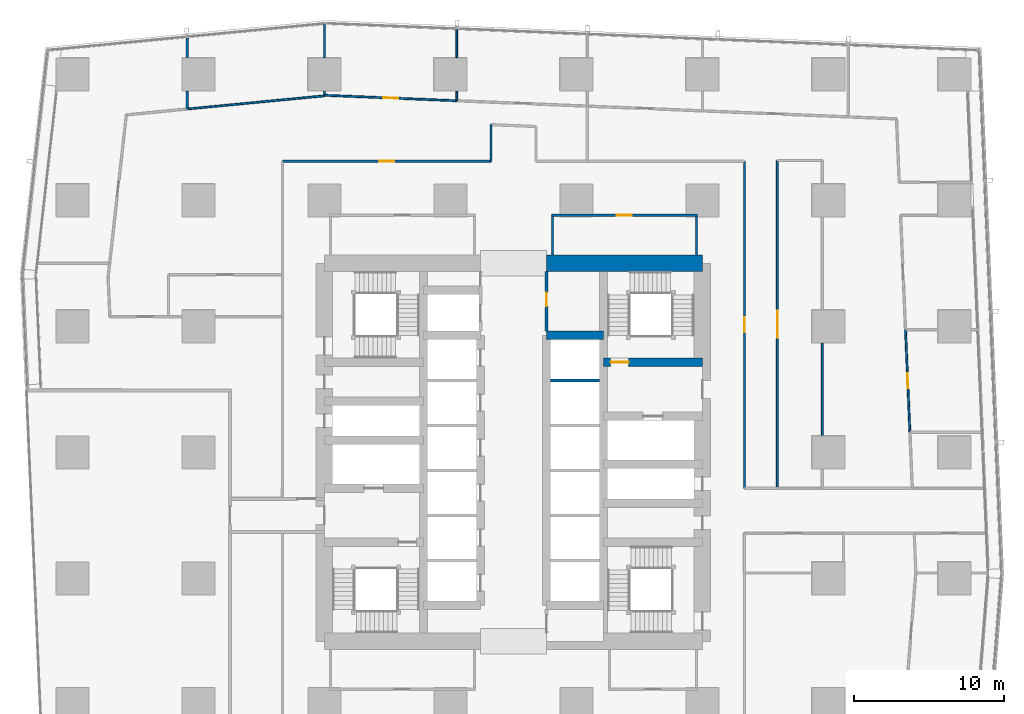
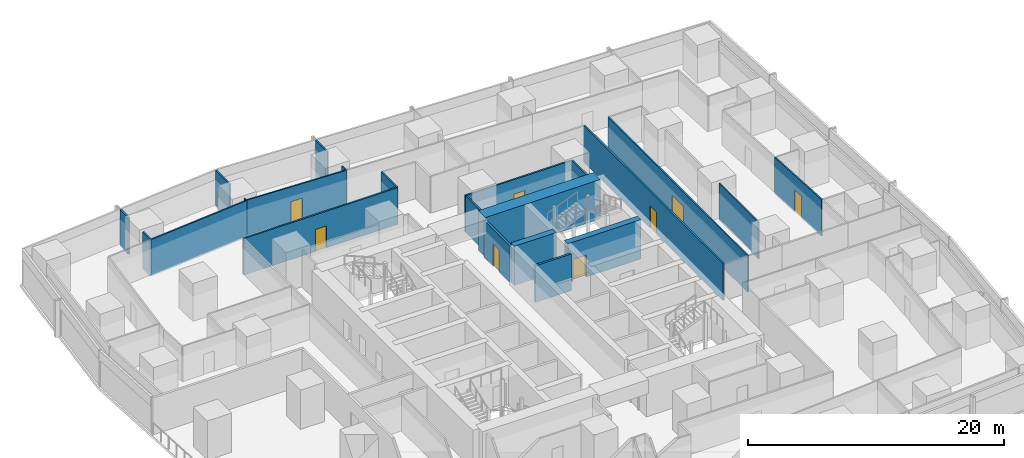
# One storey, part 32 of 42: 22 walls, 8 doors, 8 openings.
"""IFC4 building model written with IfcOpenShell, lengths in metres."""

from ifc_helpers import new_model, si_unit, direction, frame, frame_2d, origin, place, context, subcontext, project, spatial, rectangle, extrude, material, layer, layer_set, type_object, element, fill, save


model = new_model("IFC4")

# Units and contexts
model_context = context("Model", 3, precision=1e-05, world=origin(), true_north=direction((0.0, 1.0)))
body_context = subcontext(model_context, "Body", "Model", "MODEL_VIEW")
ifc_project = project(units=[si_unit("LENGTHUNIT", "METRE"), si_unit("AREAUNIT", "SQUARE_METRE"), si_unit("VOLUMEUNIT", "CUBIC_METRE"), si_unit("PLANEANGLEUNIT", "RADIAN"), si_unit("MASSUNIT", "GRAM", prefix="KILO")], contexts=[model_context])

# Site, building, storey
site_placement = place(None, origin())
site = spatial("IfcSite", under=ifc_project, at=site_placement, CompositionType="ELEMENT")
building_placement = place(site_placement, origin())
building = spatial("IfcBuilding", under=site, at=building_placement, Name="Rekha Terrace Tower", CompositionType="ELEMENT")
storey_placement = place(building_placement, frame((0.0, 0.0, 55.39990234375)))
storey = spatial("IfcBuildingStorey", under=building, at=storey_placement, Name="L13", CompositionType="ELEMENT", Elevation=55.39990234375)

# Wall
ifc_material_1 = material(Name="Concrete M70", Category="concrete")
ifc_layer_1 = layer(ifc_material_1, 0.550048828125)
ifc_layer_set_1 = layer_set([ifc_layer_1], Name="Concrete M70")
wall_type_1 = type_object("IfcWallType", Name="CI1 550 core internal shear wall", PredefinedType="SHEAR", material=ifc_layer_set_1)
wall_1_placement = place(storey_placement, frame((40.0, 41.39990234375, 0.0), z_axis=(0.0, 0.0, 1.0), x_axis=(1.0, 0.0, 0.0)))
element("IfcWall", 1, at=wall_1_placement, inside=storey, type_object=wall_type_1, Name="Core wall Y414E L13", PredefinedType="SHEAR", context=body_context, shape_type="SweptSolid", body=[
    extrude(rectangle(XDim=3.800048828125, YDim=0.550048828125, at=frame_2d((1.89990234375, 0.0))), origin(), (0.0, 0.0, 1.0), 3.75),
])

# Wall, opening, door
wall_2_placement = place(storey_placement, frame((43.800048828125, 39.60009765625, 0.0), z_axis=(0.0, 0.0, 1.0), x_axis=(1.0, 0.0, 0.0)))
wall_2 = element("IfcWall", 2, at=wall_2_placement, inside=storey, type_object=wall_type_1, Name="Core wall Y396E L13", PredefinedType="SHEAR", context=body_context, shape_type="SweptSolid", body=[
    extrude(rectangle(XDim=6.599853515625, YDim=0.550048828125, at=frame_2d((3.2998046875, 0.0))), origin(), (0.0, 0.0, 1.0), 3.75),
])
opening_1_placement = place(wall_2_placement, frame((0.47509765625, 0.0, 0.0)))
opening_1 = element("IfcOpeningElement", 3, at=opening_1_placement, cuts=wall_2, Name="Opening D1", PredefinedType="OPENING", context=body_context, shape_type="SweptSolid", body=[
    extrude(rectangle(XDim=1.199951171875, YDim=2.10009765625, at=frame_2d((0.60009765625, 1.050048828125))), frame((0.0, 0.284912109375, 0.0), z_axis=(0.0, -1.0, 0.0), x_axis=(1.0, 0.0, 0.0)), (0.0, 0.0, 1.0), 0.570068359375),
])
ifc_material_2 = material(Name="Steel fire door", Category="steel")
door_type_1 = type_object("IfcDoorType", Name="D1 1200x2100 stair fire door", OperationType="SINGLE_SWING_RIGHT", PredefinedType="DOOR", material=ifc_material_2)
door_1_placement = place(opening_1_placement, origin())
door_1 = element("IfcDoor", 4, at=door_1_placement, inside=storey, type_object=door_type_1, Name="Stair ST2 door L13", OperationType="SINGLE_SWING_RIGHT", OverallHeight=2.10009765625, OverallWidth=1.199951171875, PredefinedType="DOOR", context=body_context, shape_type="SweptSolid", body=[
    extrude(rectangle(XDim=1.199951171875, YDim=2.10009765625, at=frame_2d((0.60009765625, 1.050048828125))), frame((0.0, 0.02490234375, 0.0), z_axis=(0.0, -1.0, 0.0), x_axis=(1.0, 0.0, 0.0)), (0.0, 0.0, 1.0), 0.050048828125),
])
fill(opening_1, door_1)

# Wall
ifc_layer_2 = layer(ifc_material_1, 1.10009765625)
ifc_layer_set_2 = layer_set([ifc_layer_2], Name="Concrete M70")
wall_type_2 = type_object("IfcWallType", Name="SW1 1100 core outer shear wall", PredefinedType="SHEAR", material=ifc_layer_set_2)
wall_3_placement = place(storey_placement, frame((40.0, 46.199951171875, 0.0), z_axis=(0.0, 0.0, 1.0), x_axis=(1.0, 0.0, 0.0)))
element("IfcWall", 5, at=wall_3_placement, inside=storey, type_object=wall_type_2, Name="Core wall N2 L13", PredefinedType="SHEAR", context=body_context, shape_type="SweptSolid", body=[
    extrude(rectangle(XDim=10.39990234375, YDim=1.10009765625, at=frame_2d((5.199951171875, 0.0))), origin(), (0.0, 0.0, 1.0), 3.75),
])

# Wall, opening, door
ifc_material_3 = material(Name="Concrete block masonry, 1 hour", Category="masonry")
ifc_layer_3 = layer(ifc_material_3, 0.14990234375)
ifc_layer_set_3 = layer_set([ifc_layer_3], Name="Concrete block masonry, 1 hour")
wall_type_3 = type_object("IfcWallType", Name="WP2 150 tenancy partition", PredefinedType="PARTITIONING", material=ifc_layer_set_3)
wall_4_placement = place(storey_placement, frame((40.324951171875, 49.39990234375, 0.0), z_axis=(0.0, 0.0, 1.0), x_axis=(1.0, 0.0, 0.0)))
wall_4 = element("IfcWall", 6, at=wall_4_placement, inside=storey, type_object=wall_type_3, Name="Women's WC wall L13", PredefinedType="PARTITIONING", context=body_context, shape_type="SweptSolid", body=[
    extrude(rectangle(XDim=9.75, YDim=0.14990234375, at=frame_2d((4.875, 0.0))), origin(), (0.0, 0.0, 1.0), 3.5),
])
opening_2_placement = place(wall_4_placement, frame((4.375, 0.0, 0.0)))
opening_2 = element("IfcOpeningElement", 7, at=opening_2_placement, cuts=wall_4, Name="Opening D3", PredefinedType="OPENING", context=body_context, shape_type="SweptSolid", body=[
    extrude(rectangle(XDim=1.0, YDim=2.10009765625, at=frame_2d((0.5, 1.050048828125))), frame((0.0, 0.0849609375, 0.0), z_axis=(0.0, -1.0, 0.0), x_axis=(1.0, 0.0, 0.0)), (0.0, 0.0, 1.0), 0.169921875),
])
ifc_material_4 = material(Name="Laminated timber fire door", Category="wood")
door_type_2 = type_object("IfcDoorType", Name="D3 1000x2100 WC door", OperationType="SINGLE_SWING_LEFT", PredefinedType="DOOR", material=ifc_material_4)
door_2_placement = place(opening_2_placement, origin())
door_2 = element("IfcDoor", 8, at=door_2_placement, inside=storey, type_object=door_type_2, Name="Door women's wc L13", OperationType="SINGLE_SWING_LEFT", OverallHeight=2.10009765625, OverallWidth=1.0, PredefinedType="DOOR", context=body_context, shape_type="SweptSolid", body=[
    extrude(rectangle(XDim=1.0, YDim=2.10009765625, at=frame_2d((0.5, 1.050048828125))), frame((0.0, 0.02490234375, 0.0), z_axis=(0.0, -1.0, 0.0), x_axis=(1.0, 0.0, 0.0)), (0.0, 0.0, 1.0), 0.050048828125),
])
fill(opening_2, door_2)

# Walls
for number, where, z_axis, x_axis, name in (
    (9, (40.39990234375, 46.75, 0.0), (0.0, 0.0, 1.0), (0.0, 1.0, 0.0), "Women's WC wall L13"),
    (10, (50.0, 46.75, 0.0), (0.0, 0.0, 1.0), (0.0, 1.0, 0.0), "Women's WC wall L13"),
):
    element("IfcWall", number, at=place(storey_placement, frame(where, z_axis=z_axis, x_axis=x_axis)), inside=storey, type_object=wall_type_3, Name=name, PredefinedType="PARTITIONING", context=body_context, shape_type="SweptSolid", body=[
        extrude(rectangle(XDim=2.574951171875, YDim=0.14990234375, at=frame_2d((1.28759765625, 0.0))), origin(), (0.0, 0.0, 1.0), 3.5),
    ])

# Wall, opening, door
wall_5_placement = place(storey_placement, frame((53.199951171875, 31.199951171875, 0.0), z_axis=(0.0, 0.0, 1.0), x_axis=(0.0, 1.0, 0.0)))
wall_5 = element("IfcWall", 11, at=wall_5_placement, inside=storey, type_object=wall_type_3, Name="Partition L13-O3", PredefinedType="PARTITIONING", context=body_context, shape_type="SweptSolid", body=[
    extrude(rectangle(XDim=21.800048828125, YDim=0.14990234375, at=frame_2d((10.89990234375, 0.0))), origin(), (0.0, 0.0, 1.0), 3.5),
])
opening_3_placement = place(wall_5_placement, frame((10.39990234375, 0.0, 0.0)))
opening_3 = element("IfcOpeningElement", 12, at=opening_3_placement, cuts=wall_5, Name="Opening D9", PredefinedType="OPENING", context=body_context, shape_type="SweptSolid", body=[
    extrude(rectangle(XDim=1.0, YDim=2.10009765625, at=frame_2d((0.5, 1.050048828125))), frame((0.0, 0.0849609375, 0.0), z_axis=(0.0, -1.0, 0.0), x_axis=(1.0, 0.0, 0.0)), (0.0, 0.0, 1.0), 0.169921875),
])
ifc_material_5 = material(Name="Timber fire door", Category="wood")
door_type_3 = type_object("IfcDoorType", Name="D9 1000x2100 office door", OperationType="SINGLE_SWING_LEFT", PredefinedType="DOOR", material=ifc_material_5)
door_3_placement = place(opening_3_placement, origin())
door_3 = element("IfcDoor", 13, at=door_3_placement, inside=storey, type_object=door_type_3, Name="Door open-plan office L13", OperationType="SINGLE_SWING_LEFT", OverallHeight=2.10009765625, OverallWidth=1.0, PredefinedType="DOOR", context=body_context, shape_type="SweptSolid", body=[
    extrude(rectangle(XDim=1.0, YDim=2.10009765625, at=frame_2d((0.5, 1.050048828125))), frame((0.0, 0.02490234375, 0.0), z_axis=(0.0, -1.0, 0.0), x_axis=(1.0, 0.0, 0.0)), (0.0, 0.0, 1.0), 0.050048828125),
])
fill(opening_3, door_3)

# Wall
wall_6_placement = place(storey_placement, frame((36.300048828125, 55.44189453125, 0.0), z_axis=(0.0, 0.0, 1.0), x_axis=(0.0, -1.0, 0.0)))
element("IfcWall", 14, at=wall_6_placement, inside=storey, type_object=wall_type_3, Name="Partition L13-O4", PredefinedType="PARTITIONING", context=body_context, shape_type="SweptSolid", body=[
    extrude(rectangle(XDim=2.44189453125, YDim=0.14990234375, at=frame_2d((1.220947265625, 0.0))), origin(), (0.0, 0.0, 1.0), 3.5),
])

# Wall, opening, door
wall_7_placement = place(storey_placement, frame((36.300048828125, 53.0, 0.0), z_axis=(0.0, 0.0, 1.0), x_axis=(-1.0, 0.0, 0.0)))
wall_7 = element("IfcWall", 15, at=wall_7_placement, inside=storey, type_object=wall_type_3, Name="Partition L13-O4", PredefinedType="PARTITIONING", context=body_context, shape_type="SweptSolid", body=[
    extrude(rectangle(XDim=13.900146484375, YDim=0.14990234375, at=frame_2d((6.9501953125, 0.0))), origin(), (0.0, 0.0, 1.0), 3.5),
])
opening_4_placement = place(wall_7_placement, frame((6.449951171875, 0.0, 0.0)))
opening_4 = element("IfcOpeningElement", 16, at=opening_4_placement, cuts=wall_7, Name="Opening D9", PredefinedType="OPENING", context=body_context, shape_type="SweptSolid", body=[
    extrude(rectangle(XDim=1.0, YDim=2.10009765625, at=frame_2d((0.5, 1.050048828125))), frame((0.0, 0.0849609375, 0.0), z_axis=(0.0, -1.0, 0.0), x_axis=(1.0, 0.0, 0.0)), (0.0, 0.0, 1.0), 0.169921875),
])
door_4_placement = place(opening_4_placement, origin())
door_4 = element("IfcDoor", 17, at=door_4_placement, inside=storey, type_object=door_type_3, Name="Door open-plan office L13", OperationType="SINGLE_SWING_LEFT", OverallHeight=2.10009765625, OverallWidth=1.0, PredefinedType="DOOR", context=body_context, shape_type="SweptSolid", body=[
    extrude(rectangle(XDim=1.0, YDim=2.10009765625, at=frame_2d((0.5, 1.050048828125))), frame((0.0, 0.02490234375, 0.0), z_axis=(0.0, -1.0, 0.0), x_axis=(1.0, 0.0, 0.0)), (0.0, 0.0, 1.0), 0.050048828125),
])
fill(opening_4, door_4)

# Walls
wall_8_placement = place(storey_placement, frame((16.052978515625, 56.49609375, 0.0), z_axis=(0.0, 0.0, 1.0), x_axis=(0.0, 1.0, 0.0)))
element("IfcWall", 18, at=wall_8_placement, inside=storey, type_object=wall_type_3, Name="Partition L13-O4", PredefinedType="PARTITIONING", context=body_context, shape_type="SweptSolid", body=[
    extrude(rectangle(XDim=1.183837890625, YDim=0.14990234375, at=frame_2d((0.591796875, 0.0))), origin(), (0.0, 0.0, 1.0), 3.5),
])
wall_9_placement = place(storey_placement, frame((16.052978515625, 59.919921875, 0.0), z_axis=(0.0, 0.0, 1.0), x_axis=(0.0, 1.0, 0.0)))
element("IfcWall", 19, at=wall_9_placement, inside=storey, type_object=wall_type_3, Name="Partition L13-O4", PredefinedType="PARTITIONING", context=body_context, shape_type="SweptSolid", body=[
    extrude(rectangle(XDim=1.30810546875, YDim=0.14990234375, at=frame_2d((0.654052734375, 0.0))), origin(), (0.0, 0.0, 1.0), 3.5),
])

# Wall, opening, door
ifc_material_6 = material(Name="Two layers of fire-rated gypsum board each side on steel studs, acoustic quilt, 1 hour", Category="steel")
ifc_layer_4 = layer(ifc_material_6, 0.125)
ifc_layer_set_4 = layer_set([ifc_layer_4], Name="Two layers of fire-rated gypsum board each side on steel studs, acoustic quilt, 1 hour")
wall_type_4 = type_object("IfcWallType", Name="WP3 125 office partition", PredefinedType="PARTITIONING", material=ifc_layer_set_4)
wall_10_placement = place(storey_placement, frame((64.23095703125, 34.9541015625, 0.0), z_axis=(0.0, 0.0, 1.0), x_axis=(-0.042731736662, 0.999086582175, 0.0)))
wall_10 = element("IfcWall", 20, at=wall_10_placement, inside=storey, type_object=wall_type_4, Name="Partition L13-07", PredefinedType="PARTITIONING", context=body_context, shape_type="SweptSolid", body=[
    extrude(rectangle(XDim=6.833251953125, YDim=0.125, at=frame_2d((3.41650390625, 0.0))), origin(), (0.0, 0.0, 1.0), 3.5),
])
opening_5_placement = place(wall_10_placement, frame((2.905029296875, 0.0, 0.0)))
opening_5 = element("IfcOpeningElement", 21, at=opening_5_placement, cuts=wall_10, Name="Opening D9", PredefinedType="OPENING", context=body_context, shape_type="SweptSolid", body=[
    extrude(rectangle(XDim=1.0, YDim=2.10009765625, at=frame_2d((0.5, 1.050048828125))), frame((0.0, 0.072509765625, 0.0), z_axis=(0.0, -1.0, 0.0), x_axis=(1.0, 0.0, 0.0)), (0.0, 0.0, 1.0), 0.14501953125),
])
door_5_placement = place(opening_5_placement, origin())
door_5 = element("IfcDoor", 22, at=door_5_placement, inside=storey, type_object=door_type_3, Name="Door office L13", OperationType="SINGLE_SWING_LEFT", OverallHeight=2.10009765625, OverallWidth=1.0, PredefinedType="DOOR", context=body_context, shape_type="SweptSolid", body=[
    extrude(rectangle(XDim=1.0, YDim=2.10009765625, at=frame_2d((0.5, 1.050048828125))), frame((0.0, 0.02490234375, 0.0), z_axis=(0.0, -1.0, 0.0), x_axis=(1.0, 0.0, 0.0)), (0.0, 0.0, 1.0), 0.050048828125),
])
fill(opening_5, door_5)

# Wall
wall_11_placement = place(storey_placement, frame((58.39990234375, 40.8798828125, 0.0), z_axis=(0.0, 0.0, 1.0), x_axis=(0.0, -1.0, 0.0)))
element("IfcWall", 23, at=wall_11_placement, inside=storey, type_object=wall_type_4, Name="Partition L13-12", PredefinedType="PARTITIONING", context=body_context, shape_type="SweptSolid", body=[
    extrude(rectangle(XDim=6.159912109375, YDim=0.125, at=frame_2d((3.080078125, 0.0))), origin(), (0.0, 0.0, 1.0), 3.5),
])

# Wall, opening, door
wall_12_placement = place(storey_placement, frame((55.39990234375, 31.199951171875, 0.0), z_axis=(0.0, 0.0, 1.0), x_axis=(0.0, 1.0, 0.0)))
wall_12 = element("IfcWall", 24, at=wall_12_placement, inside=storey, type_object=wall_type_4, Name="Partition L13-12", PredefinedType="PARTITIONING", context=body_context, shape_type="SweptSolid", body=[
    extrude(rectangle(XDim=21.85009765625, YDim=0.125, at=frame_2d((10.925048828125, 0.0))), origin(), (0.0, 0.0, 1.0), 3.5),
])
opening_6_placement = place(wall_12_placement, frame((10.02490234375, 0.0, 0.0)))
opening_6 = element("IfcOpeningElement", 25, at=opening_6_placement, cuts=wall_12, Name="Opening D8", PredefinedType="OPENING", context=body_context, shape_type="SweptSolid", body=[
    extrude(rectangle(XDim=1.800048828125, YDim=2.10009765625, at=frame_2d((0.89990234375, 1.050048828125))), frame((0.0, 0.072509765625, 0.0), z_axis=(0.0, -1.0, 0.0), x_axis=(1.0, 0.0, 0.0)), (0.0, 0.0, 1.0), 0.14501953125),
])
door_type_4 = type_object("IfcDoorType", Name="D8 1800x2100 double leaf door", OperationType="DOUBLE_DOOR_SINGLE_SWING", PredefinedType="DOOR", material=ifc_material_5)
door_6_placement = place(opening_6_placement, origin())
door_6 = element("IfcDoor", 26, at=door_6_placement, inside=storey, type_object=door_type_4, Name="Door focus room L13", OperationType="DOUBLE_DOOR_SINGLE_SWING", OverallHeight=2.10009765625, OverallWidth=1.800048828125, PredefinedType="DOOR", context=body_context, shape_type="SweptSolid", body=[
    extrude(rectangle(XDim=1.800048828125, YDim=2.10009765625, at=frame_2d((0.89990234375, 1.050048828125))), frame((0.0, 0.02490234375, 0.0), z_axis=(0.0, -1.0, 0.0), x_axis=(1.0, 0.0, 0.0)), (0.0, 0.0, 1.0), 0.050048828125),
])
fill(opening_6, door_6)

# Walls
wall_13_placement = place(storey_placement, frame((34.02294921875, 57.037109375, 0.0), z_axis=(0.0, 0.0, 1.0), x_axis=(0.0, 1.0, 0.0)))
element("IfcWall", 27, at=wall_13_placement, inside=storey, type_object=wall_type_4, Name="Partition L13-13", PredefinedType="PARTITIONING", context=body_context, shape_type="SweptSolid", body=[
    extrude(rectangle(XDim=0.642822265625, YDim=0.125, at=frame_2d((0.3212890625, 0.0))), origin(), (0.0, 0.0, 1.0), 3.5),
])
wall_14_placement = place(storey_placement, frame((34.02294921875, 59.919921875, 0.0), z_axis=(0.0, 0.0, 1.0), x_axis=(0.0, 1.0, 0.0)))
element("IfcWall", 28, at=wall_14_placement, inside=storey, type_object=wall_type_4, Name="Partition L13-13", PredefinedType="PARTITIONING", context=body_context, shape_type="SweptSolid", body=[
    extrude(rectangle(XDim=1.841064453125, YDim=0.125, at=frame_2d((0.92041015625, 0.0))), origin(), (0.0, 0.0, 1.0), 3.5),
])

# Wall, opening, door
wall_15_placement = place(storey_placement, frame((34.02099609375, 57.037109375, 0.0), z_axis=(0.0, 0.0, 1.0), x_axis=(-0.99915132578, 0.041190146789, 0.0)))
wall_15 = element("IfcWall", 29, at=wall_15_placement, inside=storey, type_object=wall_type_4, Name="Partition L13-14", PredefinedType="PARTITIONING", context=body_context, shape_type="SweptSolid", body=[
    extrude(rectangle(XDim=8.83154296875, YDim=0.125, at=frame_2d((4.415771484375, 0.0))), origin(), (0.0, 0.0, 1.0), 3.5),
])
opening_7_placement = place(wall_15_placement, frame((3.9140625, 0.0, 0.0)))
opening_7 = element("IfcOpeningElement", 30, at=opening_7_placement, cuts=wall_15, Name="Opening D9", PredefinedType="OPENING", context=body_context, shape_type="SweptSolid", body=[
    extrude(rectangle(XDim=1.0, YDim=2.10009765625, at=frame_2d((0.5, 1.050048828125))), frame((0.0, 0.072509765625, 0.0), z_axis=(0.0, -1.0, 0.0), x_axis=(1.0, 0.0, 0.0)), (0.0, 0.0, 1.0), 0.14501953125),
])
door_7_placement = place(opening_7_placement, origin())
door_7 = element("IfcDoor", 31, at=door_7_placement, inside=storey, type_object=door_type_3, Name="Door office L13", OperationType="SINGLE_SWING_LEFT", OverallHeight=2.10009765625, OverallWidth=1.0, PredefinedType="DOOR", context=body_context, shape_type="SweptSolid", body=[
    extrude(rectangle(XDim=1.0, YDim=2.10009765625, at=frame_2d((0.5, 1.050048828125))), frame((0.0, 0.02490234375, 0.0), z_axis=(0.0, -1.0, 0.0), x_axis=(1.0, 0.0, 0.0)), (0.0, 0.0, 1.0), 0.050048828125),
])
fill(opening_7, door_7)

# Walls
wall_16_placement = place(storey_placement, frame((25.200927734375, 57.462890625, 0.0), z_axis=(0.0, 0.0, 1.0), x_axis=(0.0, 1.0, 0.0)))
element("IfcWall", 32, at=wall_16_placement, inside=storey, type_object=wall_type_4, Name="Partition L13-14", PredefinedType="PARTITIONING", context=body_context, shape_type="SweptSolid", body=[
    extrude(rectangle(XDim=0.217041015625, YDim=0.125, at=frame_2d((0.1083984375, 0.0))), origin(), (0.0, 0.0, 1.0), 3.5),
])
wall_17_placement = place(storey_placement, frame((25.200927734375, 59.919921875, 0.0), z_axis=(0.0, 0.0, 1.0), x_axis=(0.0, 1.0, 0.0)))
element("IfcWall", 33, at=wall_17_placement, inside=storey, type_object=wall_type_4, Name="Partition L13-14", PredefinedType="PARTITIONING", context=body_context, shape_type="SweptSolid", body=[
    extrude(rectangle(XDim=2.18798828125, YDim=0.125, at=frame_2d((1.093994140625, 0.0))), origin(), (0.0, 0.0, 1.0), 3.5),
])
wall_18_placement = place(storey_placement, frame((25.196044921875, 57.365966796875, 0.0), z_axis=(0.0, 0.0, 1.0), x_axis=(-0.995400355821, -0.095802565892, 0.0)))
element("IfcWall", 34, at=wall_18_placement, inside=storey, type_object=wall_type_4, Name="Partition L13-15", PredefinedType="PARTITIONING", context=body_context, shape_type="SweptSolid", body=[
    extrude(rectangle(XDim=9.184326171875, YDim=0.125, at=frame_2d((4.59228515625, 0.0))), origin(), (0.0, 0.0, 1.0), 3.5),
])
ifc_material_7 = material(Name="Solid concrete block masonry, 2 hour", Category="masonry")
ifc_layer_5 = layer(ifc_material_7, 0.199951171875)
ifc_layer_set_5 = layer_set([ifc_layer_5], Name="Solid concrete block masonry, 2 hour")
wall_type_5 = type_object("IfcWallType", Name="WS1 200 stair and shaft enclosure", PredefinedType="PARTITIONING", material=ifc_layer_set_5)
wall_19_placement = place(storey_placement, frame((40.27490234375, 38.39990234375, 0.0), z_axis=(0.0, 0.0, 1.0), x_axis=(1.0, 0.0, 0.0)))
element("IfcWall", 35, at=wall_19_placement, inside=storey, type_object=wall_type_5, Name="Lift shaft divider L13", PredefinedType="PARTITIONING", context=body_context, shape_type="SweptSolid", body=[
    extrude(rectangle(XDim=3.25, YDim=0.199951171875, at=frame_2d((1.625, 0.0))), origin(), (0.0, 0.0, 1.0), 3.5),
])

# Wall, opening, door
wall_20_placement = place(storey_placement, frame((40.0, 41.675048828125, 0.0), z_axis=(0.0, 0.0, 1.0), x_axis=(0.0, 1.0, 0.0)))
wall_20 = element("IfcWall", 36, at=wall_20_placement, inside=storey, type_object=wall_type_5, Name="Core partition elec L13", PredefinedType="PARTITIONING", context=body_context, shape_type="SweptSolid", body=[
    extrude(rectangle(XDim=3.974853515625, YDim=0.199951171875, at=frame_2d((1.9873046875, 0.0))), origin(), (0.0, 0.0, 1.0), 3.5),
])
opening_8_placement = place(wall_20_placement, frame((1.675048828125, 0.0, 0.0)))
opening_8 = element("IfcOpeningElement", 37, at=opening_8_placement, cuts=wall_20, Name="Opening D5", PredefinedType="OPENING", context=body_context, shape_type="SweptSolid", body=[
    extrude(rectangle(XDim=0.89990234375, YDim=2.10009765625, at=frame_2d((0.449951171875, 1.050048828125))), frame((0.0, 0.10986328125, 0.0), z_axis=(0.0, -1.0, 0.0), x_axis=(1.0, 0.0, 0.0)), (0.0, 0.0, 1.0), 0.219970703125),
])
door_type_5 = type_object("IfcDoorType", Name="D5 900x2100 riser access door", OperationType="SINGLE_SWING_LEFT", PredefinedType="DOOR", material=ifc_material_2)
door_8_placement = place(opening_8_placement, origin())
door_8 = element("IfcDoor", 38, at=door_8_placement, inside=storey, type_object=door_type_5, Name="Door electrical room L13", OperationType="SINGLE_SWING_LEFT", OverallHeight=2.10009765625, OverallWidth=0.89990234375, PredefinedType="DOOR", context=body_context, shape_type="SweptSolid", body=[
    extrude(rectangle(XDim=0.89990234375, YDim=2.10009765625, at=frame_2d((0.449951171875, 1.050048828125))), frame((0.0, 0.02490234375, 0.0), z_axis=(0.0, -1.0, 0.0), x_axis=(1.0, 0.0, 0.0)), (0.0, 0.0, 1.0), 0.050048828125),
])
fill(opening_8, door_8)

save(model, "model.ifc")
